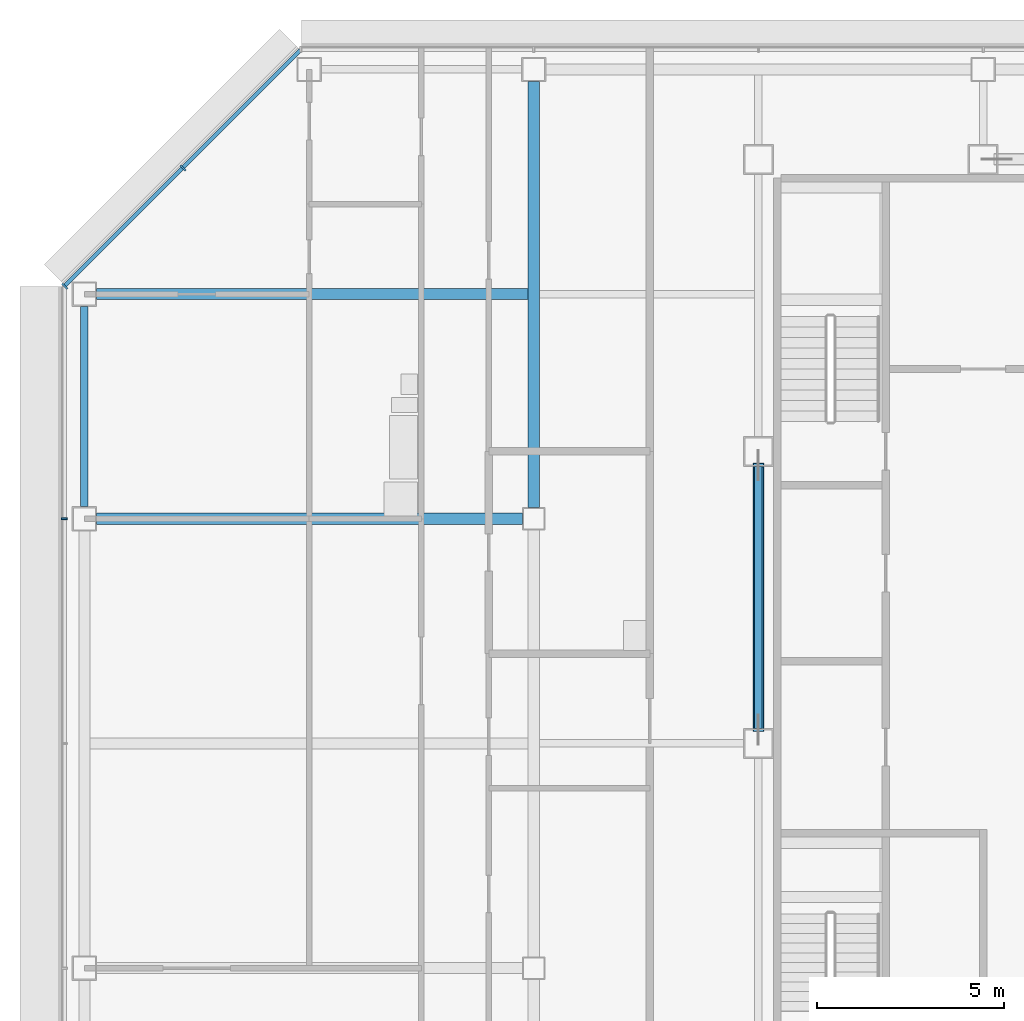
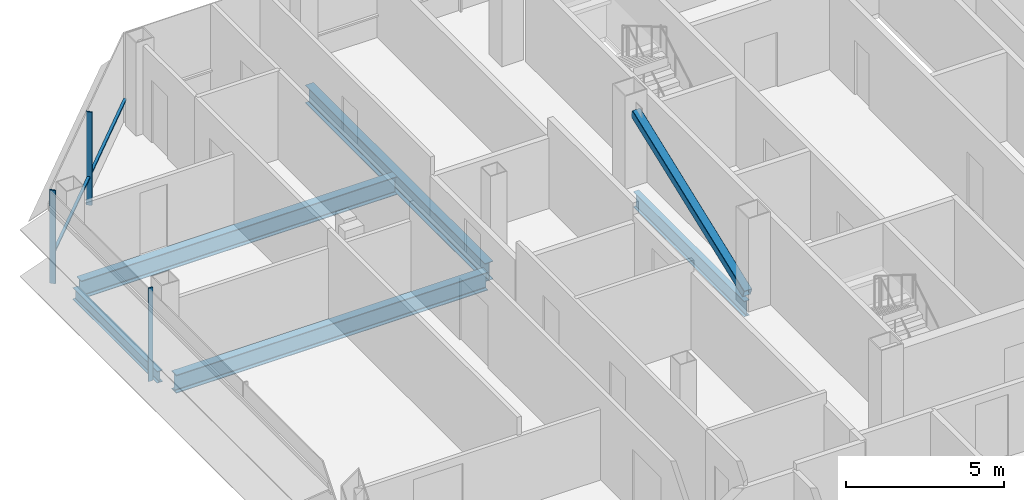
# One storey, part 11 of 27: 5 beams, 5 members, 2 elements without a shape of their own.
"""IFC4 building model written with IfcOpenShell, lengths in metres."""

from ifc_helpers import new_model, si_unit, direction, frame, origin, origin_2d, place, context, subcontext, project, spatial, rectangle, hollow_rectangle, i_section, extrude, material, material_profile, profile_set, type_object, element, aggregate, save


model = new_model("IFC4")

# Units and contexts
model_context = context("Model", 3, precision=1e-05, world=origin(), true_north=direction((0.0, 1.0)))
body_context = subcontext(model_context, "Body", "Model", "MODEL_VIEW")
ifc_project = project(units=[si_unit("LENGTHUNIT", "METRE"), si_unit("AREAUNIT", "SQUARE_METRE"), si_unit("VOLUMEUNIT", "CUBIC_METRE"), si_unit("PLANEANGLEUNIT", "RADIAN"), si_unit("MASSUNIT", "GRAM", prefix="KILO")], contexts=[model_context])

# Site, building, storey
site_placement = place(None, origin())
site = spatial("IfcSite", under=ifc_project, at=site_placement, CompositionType="ELEMENT")
building_placement = place(site_placement, origin())
building = spatial("IfcBuilding", under=site, at=building_placement, Name="Sorahane Residences", CompositionType="ELEMENT")
storey_placement = place(building_placement, frame((0.0, 0.0, 239.60009765625)))
storey = spatial("IfcBuildingStorey", under=building, at=storey_placement, Name="L56", CompositionType="ELEMENT", Elevation=239.60009765625)

# Member
ifc_material_1 = material(Name="Steel Q355B", Category="steel")
ifc_material_profile_1 = material_profile(ifc_material_1, hollow_rectangle(XDim=0.300048828125, YDim=0.300048828125, WallThickness=0.01611328125, InnerFilletRadius=0.008056640625, OuterFilletRadius=0.02392578125, at=origin_2d()), Name="RHS 300x300x16")
ifc_profile_set_1 = profile_set([ifc_material_profile_1], Name="Steel Q355B")
member_type_1 = type_object("IfcMemberType", Name="Core brace RHS 300x300x16 Q355B", PredefinedType="BRACE", material=ifc_profile_set_1)
member_1_placement = place(storey_placement, frame((6.0, 30.367919921875, 0.1376953125), z_axis=(0.0, 0.934346475268, 0.35636591329), x_axis=(-1.0, 0.0, 0.0)))
element("IfcMember", 1, at=member_1_placement, inside=storey, type_object=member_type_1, Name="Core brace L56 x6-2", PredefinedType="BRACE", context=body_context, shape_type="SweptSolid", body=[
    extrude(hollow_rectangle(XDim=0.300048828125, YDim=0.300048828125, WallThickness=0.01611328125, InnerFilletRadius=0.008056640625, OuterFilletRadius=0.02392578125, at=origin_2d()), origin(), (0.0, 0.0, 1.0), 7.560546875),
])

# Curtain wall, member
ifc_material_2 = material(Name="Dark low-e glass and black anodised aluminium", Category="aluminium")
curtain_wall_type_1 = type_object("IfcCurtainWallType", Name="Curtain wall CW-1 Typical unitised wall", PredefinedType="NOTDEFINED", material=ifc_material_2)
curtain_wall_1_placement = place(storey_placement, origin())
curtain_wall_1 = element("IfcCurtainWall", 2, at=curtain_wall_1_placement, inside=storey, type_object=curtain_wall_type_1, Name="CW-1 curtain wall L56 W1", PredefinedType="NOTDEFINED")
ifc_material_3 = material(Name="Black anodised aluminium", Category="aluminium")
ifc_material_profile_2 = material_profile(ifc_material_3, rectangle(XDim=0.159912109375, YDim=0.050048828125, at=origin_2d()), Name="Curtain wall mullion CW-1 black anodised aluminium 50x160")
ifc_profile_set_2 = profile_set([ifc_material_profile_2], Name="Black anodised aluminium")
member_type_2 = type_object("IfcMemberType", Name="Curtain wall mullion CW-1 black anodised aluminium 50x160", PredefinedType="MULLION", material=ifc_profile_set_2)
member_2_placement = place(storey_placement, frame((-12.5400390625, 36.0, -0.18017578125), z_axis=(0.0, 0.0, 1.0), x_axis=(-1.0, 0.0, 0.0)))
member_2 = element("IfcMember", 3, at=member_2_placement, type_object=member_type_2, Name="CW-1 mullion L56 W1.2", PredefinedType="MULLION", context=body_context, shape_type="SweptSolid", body=[
    extrude(rectangle(XDim=0.159912109375, YDim=0.050048828125, at=origin_2d()), origin(), (0.0, 0.0, 1.0), 3.60009765625),
])
aggregate(curtain_wall_1, [member_2])

# Curtain wall, members
ifc_material_4 = material(Name="Dark low-e glass and black anodised aluminium", Category="aluminium")
curtain_wall_type_2 = type_object("IfcCurtainWallType", Name="Curtain wall CW-2 Chamfer unitised wall", PredefinedType="NOTDEFINED", material=ifc_material_4)
curtain_wall_2_placement = place(storey_placement, origin())
curtain_wall_2 = element("IfcCurtainWall", 4, at=curtain_wall_2_placement, inside=storey, type_object=curtain_wall_type_2, Name="CW-2 curtain wall L56 NW1", PredefinedType="NOTDEFINED")
ifc_material_5 = material(Name="Black anodised aluminium", Category="aluminium")
ifc_material_profile_3 = material_profile(ifc_material_5, rectangle(XDim=0.199951171875, YDim=0.050048828125, at=origin_2d()), Name="Curtain wall mullion CW-2 black anodised aluminium 50x200")
ifc_profile_set_3 = profile_set([ifc_material_profile_3], Name="Black anodised aluminium")
member_type_3 = type_object("IfcMemberType", Name="Curtain wall mullion CW-2 black anodised aluminium 50x200", PredefinedType="MULLION", material=ifc_profile_set_3)
member_3_placement = place(storey_placement, frame((-9.36767578125, 45.36767578125, -0.18017578125), z_axis=(0.0, 0.0, 1.0), x_axis=(-0.707106781187, 0.707106781187, 0.0)))
member_3 = element("IfcMember", 5, at=member_3_placement, type_object=member_type_3, Name="CW-2 mullion L56 NW1.2", PredefinedType="MULLION", context=body_context, shape_type="SweptSolid", body=[
    extrude(rectangle(XDim=0.199951171875, YDim=0.050048828125, at=origin_2d()), origin(), (0.0, 0.0, 1.0), 3.60009765625),
])
member_4_placement = place(storey_placement, frame((-12.525634765625, 42.209716796875, -0.18017578125), z_axis=(0.0, 0.0, 1.0), x_axis=(-0.707106781187, 0.707106781187, 0.0)))
member_4 = element("IfcMember", 6, at=member_4_placement, type_object=member_type_3, Name="CW-2 mullion L56 NW1.3", PredefinedType="MULLION", context=body_context, shape_type="SweptSolid", body=[
    extrude(rectangle(XDim=0.199951171875, YDim=0.050048828125, at=origin_2d()), origin(), (0.0, 0.0, 1.0), 3.60009765625),
])
ifc_material_6 = material(Name="Black anodised aluminium", Category="aluminium")
ifc_material_profile_4 = material_profile(ifc_material_6, rectangle(XDim=0.10009765625, YDim=0.06005859375, at=origin_2d()), Name="Curtain wall transom CW-2 black anodised aluminium 60x100")
ifc_profile_set_4 = profile_set([ifc_material_profile_4], Name="Black anodised aluminium")
member_type_4 = type_object("IfcMemberType", Name="Curtain wall transom CW-2 black anodised aluminium 60x100", PredefinedType="USERDEFINED", material=ifc_profile_set_4)
member_5_placement = place(storey_placement, frame((-6.234375, 48.51513671875, 0.89990234375), z_axis=(-0.707106781187, -0.707106781187, 0.0), x_axis=(0.707106781187, -0.707106781187, 0.0)))
member_5 = element("IfcMember", 7, at=member_5_placement, type_object=member_type_4, Name="CW-2 transom L56 NW1", ObjectType="TRANSOM", PredefinedType="USERDEFINED", context=body_context, shape_type="SweptSolid", body=[
    extrude(rectangle(XDim=0.10009765625, YDim=0.06005859375, at=origin_2d()), origin(), (0.0, 0.0, 1.0), 8.88232421875),
])
aggregate(curtain_wall_2, [member_3, member_4, member_5])

# Beams
ifc_material_7 = material(Name="Steel Q355B", Category="steel")
ifc_material_profile_5 = material_profile(ifc_material_7, i_section(OverallWidth=0.199951171875, OverallDepth=0.449951171875, WebThickness=0.009033203125, FlangeThickness=0.013916015625, FilletRadius=0.02001953125, at=origin_2d()), Name="HN 450x200x9x14")
ifc_profile_set_5 = profile_set([ifc_material_profile_5], Name="Steel Q355B")
beam_type_1 = type_object("IfcBeamType", Name="Steel floor beam HN 450x200x9x14 Q355B", PredefinedType="BEAM", material=ifc_profile_set_5)
beam_1_placement = place(storey_placement, frame((-12.0, 36.324951171875, -0.405029296875), z_axis=(0.0, 1.0, 0.0), x_axis=(-1.0, 0.0, 0.0)))
element("IfcBeam", 8, at=beam_1_placement, inside=storey, type_object=beam_type_1, Name="Beam L56 023", PredefinedType="BEAM", context=body_context, shape_type="SweptSolid", body=[
    extrude(i_section(OverallWidth=0.199951171875, OverallDepth=0.449951171875, WebThickness=0.009033203125, FlangeThickness=0.013916015625, FilletRadius=0.02001953125, at=origin_2d()), origin(), (0.0, 0.0, 1.0), 5.35009765625),
])
ifc_material_8 = material(Name="Steel Q355B", Category="steel")
ifc_material_profile_6 = material_profile(ifc_material_8, i_section(OverallWidth=0.199951171875, OverallDepth=0.60009765625, WebThickness=0.010986328125, FlangeThickness=0.01708984375, FilletRadius=0.02392578125, at=origin_2d()), Name="HN 600x200x11x17")
ifc_profile_set_6 = profile_set([ifc_material_profile_6], Name="Steel Q355B")
beam_type_2 = type_object("IfcBeamType", Name="Steel floor beam HN 600x200x11x17 Q355B", PredefinedType="BEAM", material=ifc_profile_set_6)
beam_2_placement = place(storey_placement, frame((6.0, 30.39990234375, -0.47998046875), z_axis=(0.0, 1.0, 0.0), x_axis=(-1.0, 0.0, 0.0)))
element("IfcBeam", 9, at=beam_2_placement, inside=storey, type_object=beam_type_2, Name="Beam L56 031", PredefinedType="BEAM", context=body_context, shape_type="SweptSolid", body=[
    extrude(i_section(OverallWidth=0.199951171875, OverallDepth=0.60009765625, WebThickness=0.010986328125, FlangeThickness=0.01708984375, FilletRadius=0.02392578125, at=origin_2d()), origin(), (0.0, 0.0, 1.0), 7.0),
])
ifc_material_9 = material(Name="Steel Q355B", Category="steel")
ifc_material_profile_7 = material_profile(ifc_material_9, i_section(OverallWidth=0.300048828125, OverallDepth=0.699951171875, WebThickness=0.012939453125, FlangeThickness=0.02392578125, FilletRadius=0.028076171875, at=origin_2d()), Name="HN 700x300x13x24")
ifc_profile_set_7 = profile_set([ifc_material_profile_7], Name="Steel Q355B")
beam_type_3 = type_object("IfcBeamType", Name="Steel floor beam HN 700x300x13x24 Q355B", PredefinedType="BEAM", material=ifc_profile_set_7)
for number, where, z_axis, x_axis, name in (
    (10, (-11.675048828125, 36.0, -0.530029296875), (1.0, 0.0, 0.0), (0.0, 1.0, 0.0), "Beam L56 013"),
    (11, (0.0, 36.300048828125, -0.530029296875), (0.0, 1.0, 0.0), (-1.0, 0.0, 0.0), "Beam L56 027"),
):
    element("IfcBeam", number, at=place(storey_placement, frame(where, z_axis=z_axis, x_axis=x_axis)), inside=storey, type_object=beam_type_3, Name=name, PredefinedType="BEAM", context=body_context, shape_type="SweptSolid", body=[
        extrude(i_section(OverallWidth=0.300048828125, OverallDepth=0.699951171875, WebThickness=0.012939453125, FlangeThickness=0.02392578125, FilletRadius=0.028076171875, at=origin_2d()), origin(), (0.0, 0.0, 1.0), 11.375),
    ])
beam_3_placement = place(storey_placement, frame((-11.675048828125, 42.0, -0.530029296875), z_axis=(1.0, 0.0, 0.0), x_axis=(0.0, 1.0, 0.0)))
element("IfcBeam", 12, at=beam_3_placement, inside=storey, type_object=beam_type_3, Name="Beam L56 089", PredefinedType="BEAM", context=body_context, shape_type="SweptSolid", body=[
    extrude(i_section(OverallWidth=0.300048828125, OverallDepth=0.699951171875, WebThickness=0.012939453125, FlangeThickness=0.02392578125, FilletRadius=0.028076171875, at=origin_2d()), origin(), (0.0, 0.0, 1.0), 11.525146484375),
])

save(model, "model.ifc")
